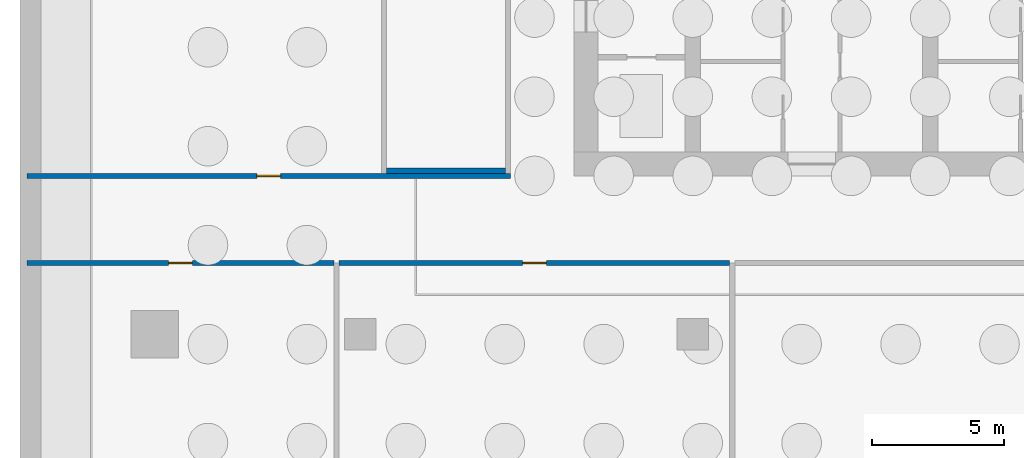
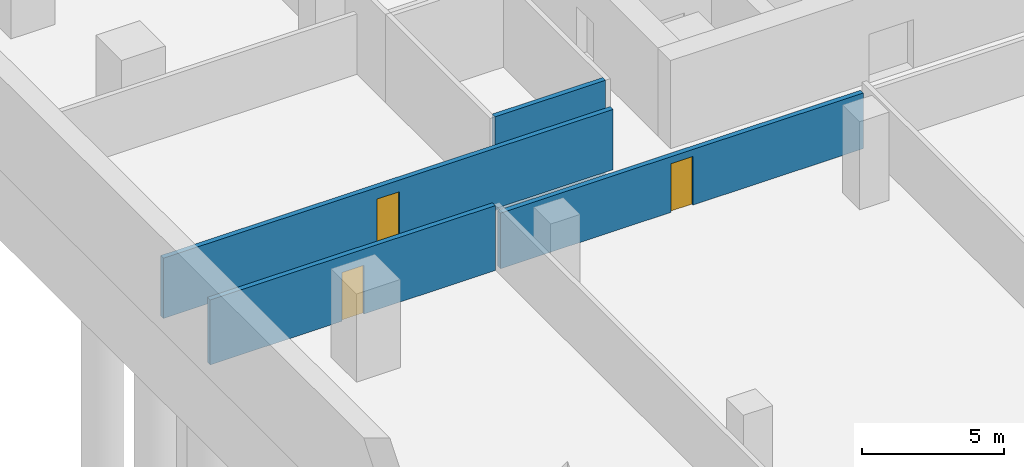
# One storey, part 3 of 10: 4 walls, 3 doors, 3 openings.
"""IFC4 building model written with IfcOpenShell, lengths in metres."""

from ifc_helpers import new_model, si_unit, direction, frame, frame_2d, origin, place, context, subcontext, project, spatial, rectangle, extrude, material, layer, layer_set, type_object, element, fill, save


model = new_model("IFC4")

# Units and contexts
model_context = context("Model", 3, precision=1e-05, world=origin(), true_north=direction((0.0, 1.0)))
body_context = subcontext(model_context, "Body", "Model", "MODEL_VIEW")
ifc_project = project(units=[si_unit("LENGTHUNIT", "METRE"), si_unit("AREAUNIT", "SQUARE_METRE"), si_unit("VOLUMEUNIT", "CUBIC_METRE"), si_unit("PLANEANGLEUNIT", "RADIAN"), si_unit("MASSUNIT", "GRAM", prefix="KILO")], contexts=[model_context])

# Site, building, storey
site_placement = place(None, origin())
site = spatial("IfcSite", under=ifc_project, at=site_placement, CompositionType="ELEMENT")
building_placement = place(site_placement, origin())
building = spatial("IfcBuilding", under=site, at=building_placement, Name="Rattan Terrace Tower", CompositionType="ELEMENT")
storey_placement = place(building_placement, frame((0.0, 0.0, -13.5)))
storey = spatial("IfcBuildingStorey", under=building, at=storey_placement, Name="B3", CompositionType="ELEMENT", Elevation=-13.5)

# Wall, opening, door
ifc_material_1 = material(Name="Concrete block wall, plastered", Category="concrete")
ifc_layer_1 = layer(ifc_material_1, 0.199951171875)
ifc_layer_set_1 = layer_set([ifc_layer_1], Name="Floors Plant Wall 200")
wall_type_1 = type_object("IfcWallType", Name="Floors Plant Wall 200", PredefinedType="PARTITIONING", material=ifc_layer_set_1)
wall_1_placement = place(storey_placement, frame((-27.10205078125, -10.800048828125, 0.0), z_axis=(0.0, 0.0, 1.0), x_axis=(-1.0, 0.0, 0.0)))
wall_1 = element("IfcWall", 1, at=wall_1_placement, inside=storey, type_object=wall_type_1, Name="pt-B3-001", PredefinedType="PARTITIONING", context=body_context, shape_type="SweptSolid", body=[
    extrude(rectangle(XDim=11.637939453125, YDim=0.199951171875, at=frame_2d((5.81884765625, 0.0))), origin(), (0.0, 0.0, 1.0), 2.800048828125),
])
opening_1_placement = place(wall_1_placement, frame((5.368896484375, 0.0, 0.0)))
opening_1 = element("IfcOpeningElement", 2, at=opening_1_placement, cuts=wall_1, Name="Opening B3-D100", PredefinedType="OPENING", context=body_context, shape_type="SweptSolid", body=[
    extrude(rectangle(XDim=0.89990234375, YDim=2.10009765625, at=frame_2d((0.449951171875, 1.050048828125))), frame((0.0, 0.110595703125, 0.0), z_axis=(0.0, -1.0, 0.0), x_axis=(1.0, 0.0, 0.0)), (0.0, 0.0, 1.0), 0.220947265625),
])
ifc_material_2 = material(Name="Steel fire door set", Category="steel")
door_type = type_object("IfcDoorType", Name="Floors Fire Door FD60 900x2100", OperationType="NOTDEFINED", PredefinedType="DOOR", material=ifc_material_2)
door_1_placement = place(opening_1_placement, origin())
door_1 = element("IfcDoor", 3, at=door_1_placement, inside=storey, type_object=door_type, Name="d-B3-100", OperationType="SINGLE_SWING_LEFT", OverallHeight=2.10009765625, OverallWidth=0.89990234375, PredefinedType="DOOR", context=body_context, shape_type="SweptSolid", body=[
    extrude(rectangle(XDim=0.89990234375, YDim=2.10009765625, at=frame_2d((0.449951171875, 1.050048828125))), frame((0.0, 0.02490234375, 0.0), z_axis=(0.0, -1.0, 0.0), x_axis=(1.0, 0.0, 0.0)), (0.0, 0.0, 1.0), 0.050048828125),
])
fill(opening_1, door_1)

wall_2_placement = place(storey_placement, frame((-12.10009765625, -10.800048828125, 0.0), z_axis=(0.0, 0.0, 1.0), x_axis=(-1.0, 0.0, 0.0)))
wall_2 = element("IfcWall", 4, at=wall_2_placement, inside=storey, type_object=wall_type_1, Name="pt-B3-002", PredefinedType="PARTITIONING", context=body_context, shape_type="SweptSolid", body=[
    extrude(rectangle(XDim=14.802001953125, YDim=0.199951171875, at=frame_2d((7.40087890625, 0.0))), origin(), (0.0, 0.0, 1.0), 2.39990234375),
])
opening_2_placement = place(wall_2_placement, frame((6.950927734375, 0.0, 0.0)))
opening_2 = element("IfcOpeningElement", 5, at=opening_2_placement, cuts=wall_2, Name="Opening B3-D101", PredefinedType="OPENING", context=body_context, shape_type="SweptSolid", body=[
    extrude(rectangle(XDim=0.89990234375, YDim=2.10009765625, at=frame_2d((0.449951171875, 1.050048828125))), frame((0.0, 0.110595703125, 0.0), z_axis=(0.0, -1.0, 0.0), x_axis=(1.0, 0.0, 0.0)), (0.0, 0.0, 1.0), 0.220947265625),
])
door_2_placement = place(opening_2_placement, origin())
door_2 = element("IfcDoor", 6, at=door_2_placement, inside=storey, type_object=door_type, Name="d-B3-101", OperationType="SINGLE_SWING_RIGHT", OverallHeight=2.10009765625, OverallWidth=0.89990234375, PredefinedType="DOOR", context=body_context, shape_type="SweptSolid", body=[
    extrude(rectangle(XDim=0.89990234375, YDim=2.10009765625, at=frame_2d((0.449951171875, 1.050048828125))), frame((0.0, 0.02490234375, 0.0), z_axis=(0.0, -1.0, 0.0), x_axis=(1.0, 0.0, 0.0)), (0.0, 0.0, 1.0), 0.050048828125),
])
fill(opening_2, door_2)

wall_3_placement = place(storey_placement, frame((-38.739990234375, -7.5, 0.0), z_axis=(0.0, 0.0, 1.0), x_axis=(1.0, 0.0, 0.0)))
wall_3 = element("IfcWall", 7, at=wall_3_placement, inside=storey, type_object=wall_type_1, Name="pt-B3-009", PredefinedType="PARTITIONING", context=body_context, shape_type="SweptSolid", body=[
    extrude(rectangle(XDim=18.340087890625, YDim=0.199951171875, at=frame_2d((9.169921875, 0.0))), origin(), (0.0, 0.0, 1.0), 2.60009765625),
])
opening_3_placement = place(wall_3_placement, frame((8.719970703125, 0.0, 0.0)))
opening_3 = element("IfcOpeningElement", 8, at=opening_3_placement, cuts=wall_3, Name="Opening B3-D106", PredefinedType="OPENING", context=body_context, shape_type="SweptSolid", body=[
    extrude(rectangle(XDim=0.89990234375, YDim=2.10009765625, at=frame_2d((0.449951171875, 1.050048828125))), frame((0.0, 0.110595703125, 0.0), z_axis=(0.0, -1.0, 0.0), x_axis=(1.0, 0.0, 0.0)), (0.0, 0.0, 1.0), 0.220947265625),
])
door_3_placement = place(opening_3_placement, origin())
door_3 = element("IfcDoor", 9, at=door_3_placement, inside=storey, type_object=door_type, Name="d-B3-106", OperationType="SINGLE_SWING_LEFT", OverallHeight=2.10009765625, OverallWidth=0.89990234375, PredefinedType="DOOR", context=body_context, shape_type="SweptSolid", body=[
    extrude(rectangle(XDim=0.89990234375, YDim=2.10009765625, at=frame_2d((0.449951171875, 1.050048828125))), frame((0.0, 0.02490234375, 0.0), z_axis=(0.0, -1.0, 0.0), x_axis=(1.0, 0.0, 0.0)), (0.0, 0.0, 1.0), 0.050048828125),
])
fill(opening_3, door_3)

# Wall
ifc_material_3 = material(Name="Concrete C40/50", Category="concrete")
ifc_layer_2 = layer(ifc_material_3, 0.199951171875)
ifc_layer_set_2 = layer_set([ifc_layer_2], Name="Podium exit stair shaft wall 200")
wall_type_2 = type_object("IfcWallType", Name="Podium exit stair shaft wall 200", PredefinedType="SHEAR", material=ifc_layer_set_2)
wall_4_placement = place(storey_placement, frame((-25.10009765625, -7.300048828125, -0.25), z_axis=(0.0, 0.0, 1.0), x_axis=(1.0, 0.0, 0.0)))
element("IfcWall", 10, at=wall_4_placement, inside=storey, type_object=wall_type_2, Name="B3 stair S4 shaft wall", PredefinedType="SHEAR", context=body_context, shape_type="SweptSolid", body=[
    extrude(rectangle(XDim=4.5, YDim=0.199951171875, at=frame_2d((2.25, 0.0))), origin(), (0.0, 0.0, 1.0), 4.050048828125),
])

save(model, "model.ifc")
